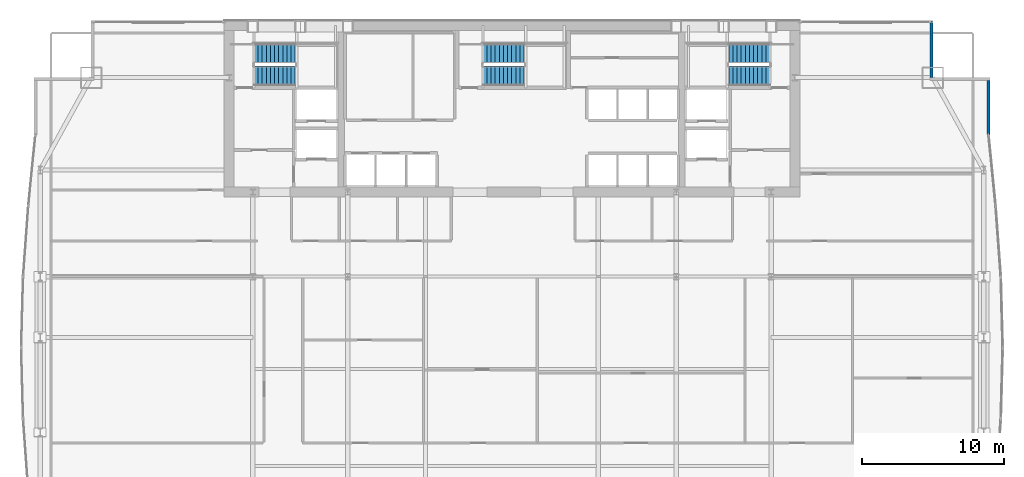
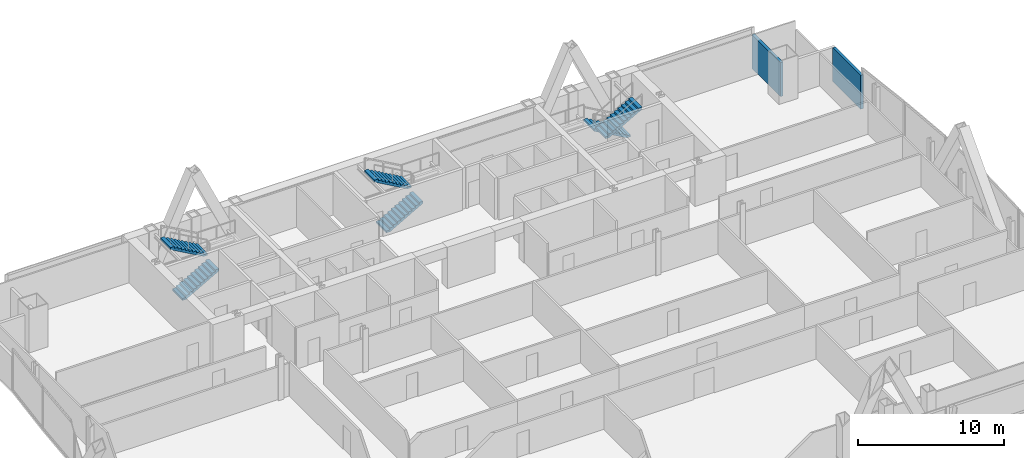
# One storey, part 29 of 31: 6 stair flights, 2 walls, 3 elements without a shape of their own.
"""IFC4 building model written with IfcOpenShell, lengths in metres."""

from ifc_helpers import new_model, si_unit, direction, frame, frame_2d, origin, place, context, subcontext, project, spatial, polyline, rectangle, outline, extrude, material, layer, layer_set, type_object, element, aggregate, save


model = new_model("IFC4")

# Units and contexts
model_context = context("Model", 3, precision=1e-05, world=origin(), true_north=direction((0.0, 1.0)))
body_context = subcontext(model_context, "Body", "Model", "MODEL_VIEW")
ifc_project = project(units=[si_unit("LENGTHUNIT", "METRE"), si_unit("AREAUNIT", "SQUARE_METRE"), si_unit("VOLUMEUNIT", "CUBIC_METRE"), si_unit("PLANEANGLEUNIT", "RADIAN"), si_unit("MASSUNIT", "GRAM", prefix="KILO")], contexts=[model_context])

# Site, building, storey
site_placement = place(None, origin())
site = spatial("IfcSite", under=ifc_project, at=site_placement, CompositionType="ELEMENT")
building_placement = place(site_placement, origin())
building = spatial("IfcBuilding", under=site, at=building_placement, Name="Khoronbel Lancet Exchange", CompositionType="ELEMENT")
storey_placement = place(building_placement, frame((0.0, 0.0, 129.0)))
storey = spatial("IfcBuildingStorey", under=building, at=storey_placement, Name="L31", CompositionType="ELEMENT", Elevation=129.0)

# Walls
ifc_material_1 = material(Name="Precast concrete C40/50", Category="concrete")
ifc_layer = layer(ifc_material_1, 0.25, Name="Precast concrete C40/50")
ifc_layer_set = layer_set([ifc_layer], Name="Precast concrete C40/50")
wall_type = type_object("IfcWallType", Name="WL-EXT250", PredefinedType="SOLIDWALL", material=ifc_layer_set)
wall_1_placement = place(storey_placement, frame((65.9599609375, 53.6298828125, 0.0), z_axis=(0.0, 0.0, 1.0), x_axis=(0.0, -1.0, 0.0)))
element("IfcWall", 1, at=wall_1_placement, inside=storey, type_object=wall_type, Name="Level L31 notched-corner limestone pier 14", PredefinedType="SOLIDWALL", context=body_context, shape_type="SweptSolid", body=[
    extrude(rectangle(XDim=3.909912109375, YDim=0.219970703125, at=frame_2d((1.955078125, 0.0))), origin(), (0.0, 0.0, 1.0), 2.830078125),
])
wall_2_placement = place(storey_placement, frame((69.9599609375, 49.5, 0.0), z_axis=(0.0, 0.0, 1.0), x_axis=(0.0, -1.0, 0.0)))
element("IfcWall", 2, at=wall_2_placement, inside=storey, type_object=wall_type, Name="Level L31 notched-corner limestone pier 16", PredefinedType="SOLIDWALL", context=body_context, shape_type="SweptSolid", body=[
    extrude(rectangle(XDim=3.824462890625, YDim=0.219970703125, at=frame_2d((1.912109375, 0.0))), origin(), (0.0, 0.0, 1.0), 2.830078125),
])

# Stair, stair flights
ifc_material_2 = material(Name="Concrete C40/50", Category="concrete")
stair_type = type_object("IfcStairType", Name="STR-CORE150", PredefinedType="HALF_TURN_STAIR", material=ifc_material_2)
stair_1_placement = place(storey_placement, origin())
stair_1 = element("IfcStair", 3, at=stair_1_placement, inside=storey, type_object=stair_type, Name="L31 Protected Exit Stair ST1", PredefinedType="HALF_TURN_STAIR")
stair_flight_type = type_object("IfcStairFlightType", Name="STF-150", PredefinedType="STRAIGHT", material=ifc_material_2)
stair_flight_1_placement = place(storey_placement, frame((18.300048828125, 49.81005859375, 0.0), z_axis=(0.0, 0.0, 1.0), x_axis=(1.0, 0.0, 0.0)))
stair_flight_1 = element("IfcStairFlight", 4, at=stair_flight_1_placement, type_object=stair_flight_type, Name="ST1 flight 1", NumberOfRisers=11, NumberOfTreads=10, PredefinedType="STRAIGHT", RiserHeight=0.163636364, TreadLength=0.29, context=body_context, shape_type="SweptSolid", body=[
    extrude(outline(polyline([(0.0, 0.0), (0.0, 0.16357421875), (0.2900390625, 0.16357421875), (0.2900390625, 0.327392578125), (0.580078125, 0.327392578125), (0.580078125, 0.490966796875), (0.8701171875, 0.490966796875), (0.8701171875, 0.654541015625), (1.159912109375, 0.654541015625), (1.159912109375, 0.818115234375), (1.449951171875, 0.818115234375), (1.449951171875, 0.98193359375), (1.739990234375, 0.98193359375), (1.739990234375, 1.1455078125), (2.030029296875, 1.1455078125), (2.030029296875, 1.30908203125), (2.320068359375, 1.30908203125), (2.320068359375, 1.47265625), (2.610107421875, 1.47265625), (2.610107421875, 1.636474609375), (2.89990234375, 1.636474609375), (2.89990234375, 1.800048828125), (2.89990234375, 1.46435546875), (0.304931640625, 0.0), (0.0, 0.0)])), frame((0.0, 0.68994140625, 0.0), z_axis=(0.0, -1.0, 0.0), x_axis=(1.0, 0.0, 0.0)), (0.0, 0.0, 1.0), 1.3798828125),
])
stair_flight_2_placement = place(storey_placement, frame((21.199951171875, 51.409912109375, 1.800048828125), z_axis=(0.0, 0.0, 1.0), x_axis=(-1.0, 0.0, 0.0)))
stair_flight_2 = element("IfcStairFlight", 5, at=stair_flight_2_placement, type_object=stair_flight_type, Name="ST1 flight 2", NumberOfRisers=11, NumberOfTreads=10, PredefinedType="STRAIGHT", RiserHeight=0.163636364, TreadLength=0.29, context=body_context, shape_type="SweptSolid", body=[
    extrude(outline(polyline([(0.0, 0.0), (0.0, 0.16357421875), (0.2900390625, 0.16357421875), (0.2900390625, 0.327392578125), (0.580078125, 0.327392578125), (0.580078125, 0.490966796875), (0.8701171875, 0.490966796875), (0.8701171875, 0.654541015625), (1.159912109375, 0.654541015625), (1.159912109375, 0.818115234375), (1.449951171875, 0.818115234375), (1.449951171875, 0.98193359375), (1.739990234375, 0.98193359375), (1.739990234375, 1.1455078125), (2.030029296875, 1.1455078125), (2.030029296875, 1.30908203125), (2.320068359375, 1.30908203125), (2.320068359375, 1.47265625), (2.610107421875, 1.47265625), (2.610107421875, 1.636474609375), (2.89990234375, 1.636474609375), (2.89990234375, 1.800048828125), (2.89990234375, 1.46435546875), (0.304931640625, 0.0), (0.0, 0.0)])), frame((0.0, 0.68994140625, 0.0), z_axis=(0.0, -1.0, 0.0), x_axis=(1.0, 0.0, 0.0)), (0.0, 0.0, 1.0), 1.3798828125),
])
aggregate(stair_1, [stair_flight_1, stair_flight_2])

stair_2_placement = place(storey_placement, origin())
stair_2 = element("IfcStair", 6, at=stair_2_placement, inside=storey, type_object=stair_type, Name="L31 Protected Exit Stair ST2", PredefinedType="HALF_TURN_STAIR")
stair_flight_3_placement = place(storey_placement, frame((54.60009765625, 51.409912109375, 0.0), z_axis=(0.0, 0.0, 1.0), x_axis=(-1.0, 0.0, 0.0)))
stair_flight_3 = element("IfcStairFlight", 7, at=stair_flight_3_placement, type_object=stair_flight_type, Name="ST2 flight 1", NumberOfRisers=11, NumberOfTreads=10, PredefinedType="STRAIGHT", RiserHeight=0.163636364, TreadLength=0.29, context=body_context, shape_type="SweptSolid", body=[
    extrude(outline(polyline([(0.0, 0.0), (0.0, 0.16357421875), (0.2900390625, 0.16357421875), (0.2900390625, 0.327392578125), (0.580078125, 0.327392578125), (0.580078125, 0.490966796875), (0.8701171875, 0.490966796875), (0.8701171875, 0.654541015625), (1.159912109375, 0.654541015625), (1.159912109375, 0.818115234375), (1.449951171875, 0.818115234375), (1.449951171875, 0.98193359375), (1.739990234375, 0.98193359375), (1.739990234375, 1.1455078125), (2.030029296875, 1.1455078125), (2.030029296875, 1.30908203125), (2.320068359375, 1.30908203125), (2.320068359375, 1.47265625), (2.610107421875, 1.47265625), (2.610107421875, 1.636474609375), (2.89990234375, 1.636474609375), (2.89990234375, 1.800048828125), (2.89990234375, 1.46435546875), (0.304931640625, 0.0), (0.0, 0.0)])), frame((0.0, 0.68994140625, 0.0), z_axis=(0.0, -1.0, 0.0), x_axis=(1.0, 0.0, 0.0)), (0.0, 0.0, 1.0), 1.3798828125),
])
stair_flight_4_placement = place(storey_placement, frame((51.699951171875, 49.81005859375, 1.800048828125), z_axis=(0.0, 0.0, 1.0), x_axis=(1.0, 0.0, 0.0)))
stair_flight_4 = element("IfcStairFlight", 8, at=stair_flight_4_placement, type_object=stair_flight_type, Name="ST2 flight 2", NumberOfRisers=11, NumberOfTreads=10, PredefinedType="STRAIGHT", RiserHeight=0.163636364, TreadLength=0.29, context=body_context, shape_type="SweptSolid", body=[
    extrude(outline(polyline([(0.0, 0.0), (0.0, 0.16357421875), (0.2900390625, 0.16357421875), (0.2900390625, 0.327392578125), (0.580078125, 0.327392578125), (0.580078125, 0.490966796875), (0.8701171875, 0.490966796875), (0.8701171875, 0.654541015625), (1.159912109375, 0.654541015625), (1.159912109375, 0.818115234375), (1.449951171875, 0.818115234375), (1.449951171875, 0.98193359375), (1.739990234375, 0.98193359375), (1.739990234375, 1.1455078125), (2.030029296875, 1.1455078125), (2.030029296875, 1.30908203125), (2.320068359375, 1.30908203125), (2.320068359375, 1.47265625), (2.610107421875, 1.47265625), (2.610107421875, 1.636474609375), (2.89990234375, 1.636474609375), (2.89990234375, 1.800048828125), (2.89990234375, 1.46435546875), (0.304931640625, 0.0), (0.0, 0.0)])), frame((0.0, 0.68994140625, 0.0), z_axis=(0.0, -1.0, 0.0), x_axis=(1.0, 0.0, 0.0)), (0.0, 0.0, 1.0), 1.3798828125),
])
aggregate(stair_2, [stair_flight_3, stair_flight_4])

stair_3_placement = place(storey_placement, origin())
stair_3 = element("IfcStair", 9, at=stair_3_placement, inside=storey, type_object=stair_type, Name="L31 Protected Exit Stair ST3", PredefinedType="HALF_TURN_STAIR")
stair_flight_5_placement = place(storey_placement, frame((34.39990234375, 49.81005859375, 0.0), z_axis=(0.0, 0.0, 1.0), x_axis=(1.0, 0.0, 0.0)))
stair_flight_5 = element("IfcStairFlight", 10, at=stair_flight_5_placement, type_object=stair_flight_type, Name="ST3 flight 1", NumberOfRisers=11, NumberOfTreads=10, PredefinedType="STRAIGHT", RiserHeight=0.163636364, TreadLength=0.29, context=body_context, shape_type="SweptSolid", body=[
    extrude(outline(polyline([(0.0, 0.0), (0.0, 0.16357421875), (0.2900390625, 0.16357421875), (0.2900390625, 0.327392578125), (0.580078125, 0.327392578125), (0.580078125, 0.490966796875), (0.8701171875, 0.490966796875), (0.8701171875, 0.654541015625), (1.159912109375, 0.654541015625), (1.159912109375, 0.818115234375), (1.449951171875, 0.818115234375), (1.449951171875, 0.98193359375), (1.739990234375, 0.98193359375), (1.739990234375, 1.1455078125), (2.030029296875, 1.1455078125), (2.030029296875, 1.30908203125), (2.320068359375, 1.30908203125), (2.320068359375, 1.47265625), (2.610107421875, 1.47265625), (2.610107421875, 1.636474609375), (2.89990234375, 1.636474609375), (2.89990234375, 1.800048828125), (2.89990234375, 1.46435546875), (0.304931640625, 0.0), (0.0, 0.0)])), frame((0.0, 0.68994140625, 0.0), z_axis=(0.0, -1.0, 0.0), x_axis=(1.0, 0.0, 0.0)), (0.0, 0.0, 1.0), 1.3798828125),
])
stair_flight_6_placement = place(storey_placement, frame((37.300048828125, 51.409912109375, 1.800048828125), z_axis=(0.0, 0.0, 1.0), x_axis=(-1.0, 0.0, 0.0)))
stair_flight_6 = element("IfcStairFlight", 11, at=stair_flight_6_placement, type_object=stair_flight_type, Name="ST3 flight 2", NumberOfRisers=11, NumberOfTreads=10, PredefinedType="STRAIGHT", RiserHeight=0.163636364, TreadLength=0.29, context=body_context, shape_type="SweptSolid", body=[
    extrude(outline(polyline([(0.0, 0.0), (0.0, 0.16357421875), (0.2900390625, 0.16357421875), (0.2900390625, 0.327392578125), (0.580078125, 0.327392578125), (0.580078125, 0.490966796875), (0.8701171875, 0.490966796875), (0.8701171875, 0.654541015625), (1.159912109375, 0.654541015625), (1.159912109375, 0.818115234375), (1.449951171875, 0.818115234375), (1.449951171875, 0.98193359375), (1.739990234375, 0.98193359375), (1.739990234375, 1.1455078125), (2.030029296875, 1.1455078125), (2.030029296875, 1.30908203125), (2.320068359375, 1.30908203125), (2.320068359375, 1.47265625), (2.610107421875, 1.47265625), (2.610107421875, 1.636474609375), (2.89990234375, 1.636474609375), (2.89990234375, 1.800048828125), (2.89990234375, 1.46435546875), (0.304931640625, 0.0), (0.0, 0.0)])), frame((0.0, 0.68994140625, 0.0), z_axis=(0.0, -1.0, 0.0), x_axis=(1.0, 0.0, 0.0)), (0.0, 0.0, 1.0), 1.3798828125),
])
aggregate(stair_3, [stair_flight_5, stair_flight_6])

save(model, "model.ifc")
